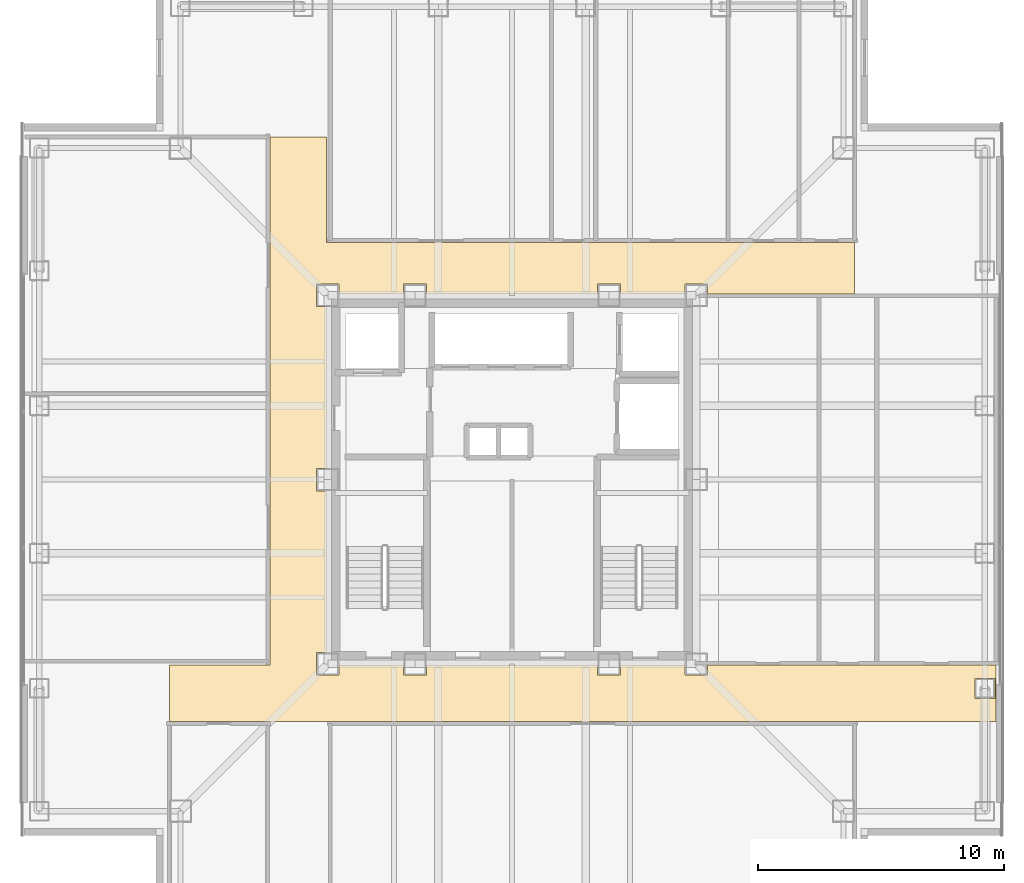
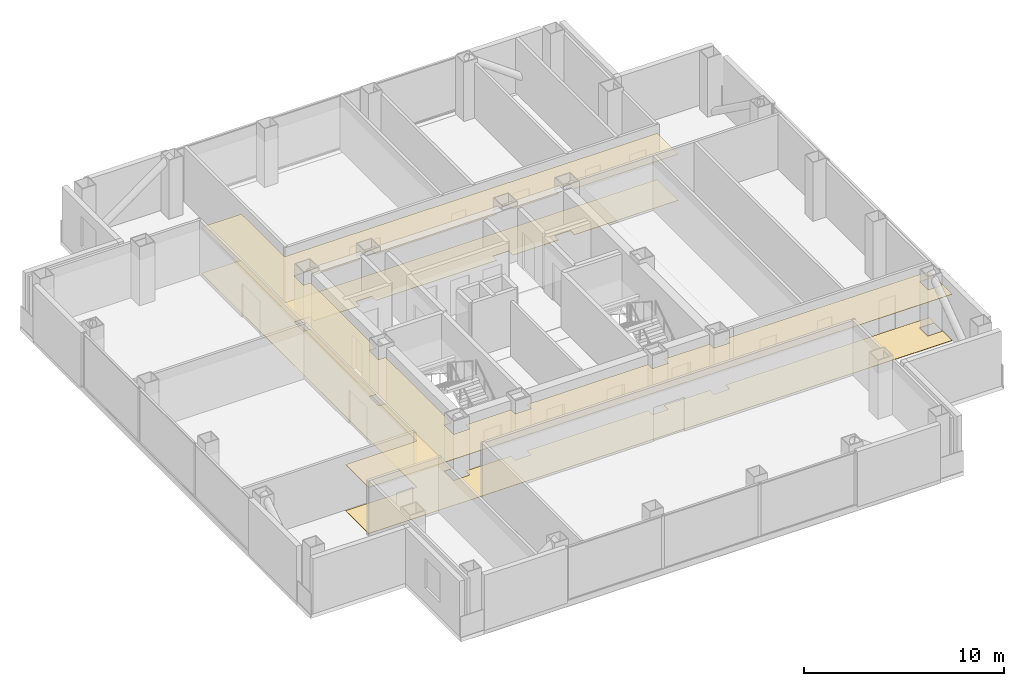
# One storey, part 14 of 16: 2 coverings.
"""IFC4 building model written with IfcOpenShell, lengths in metres."""

from ifc_helpers import new_model, si_unit, direction, frame, origin, place, context, subcontext, project, spatial, polyline, outline, extrude, material, layer, layer_set, type_object, element, save


model = new_model("IFC4")

# Units and contexts
model_context = context("Model", 3, precision=1e-05, world=origin(), true_north=direction((0.0, 1.0)))
body_context = subcontext(model_context, "Body", "Model", "MODEL_VIEW")
ifc_project = project(units=[si_unit("LENGTHUNIT", "METRE"), si_unit("AREAUNIT", "SQUARE_METRE"), si_unit("VOLUMEUNIT", "CUBIC_METRE"), si_unit("PLANEANGLEUNIT", "RADIAN"), si_unit("MASSUNIT", "GRAM", prefix="KILO")], contexts=[model_context])

# Site, building, storey
site_placement = place(None, origin())
site = spatial("IfcSite", under=ifc_project, at=site_placement, CompositionType="ELEMENT")
building_placement = place(site_placement, origin())
building = spatial("IfcBuilding", under=site, at=building_placement, Name="Trevonay Congress Spire", CompositionType="ELEMENT")
storey_placement = place(building_placement, frame((0.0, 0.0, 180.60009765625)))
storey = spatial("IfcBuildingStorey", under=building, at=storey_placement, Name="L46", CompositionType="ELEMENT", Elevation=180.60009765625)

# Coverings
ifc_material_1 = material(Name="Acoustic Mineral Fibre Board", Category="gypsum")
ifc_layer_1 = layer(ifc_material_1, 0.02490234375, Name="Acoustic Mineral Fibre Board")
ifc_layer_set_1 = layer_set([ifc_layer_1], Name="Acoustic Mineral Fibre Board")
covering_type_1 = type_object("IfcCoveringType", Name="COV-CEIL-ACOUSTIC", PredefinedType="CEILING", material=ifc_layer_set_1)
covering_1_placement = place(storey_placement, frame((0.0, 0.0, 2.809814453125)))
element("IfcCovering", 1, at=covering_1_placement, inside=storey, type_object=covering_type_1, Name="L46 Cruciform Boulevard Corridor acoustic suspended ceiling", PredefinedType="CEILING", context=body_context, shape_type="SweptSolid", body=[
    extrude(outline(polyline([(19.699951171875, -7.550048828125), (19.699951171875, -9.85009765625), (-13.949951171875, -9.85009765625), (-13.949951171875, -7.550048828125), (-9.85009765625, -7.550048828125), (-9.85009765625, 13.949951171875), (-7.550048828125, 13.949951171875), (-7.550048828125, 9.64990234375), (13.949951171875, 9.64990234375), (13.949951171875, 7.550048828125), (7.9599609375, 7.550048828125), (7.9599609375, 7.9599609375), (7.0400390625, 7.9599609375), (7.0400390625, 7.550048828125), (4.409912109375, 7.550048828125), (4.409912109375, 7.9599609375), (3.489990234375, 7.9599609375), (3.489990234375, 7.550048828125), (-3.489990234375, 7.550048828125), (-3.489990234375, 7.9599609375), (-4.409912109375, 7.9599609375), (-4.409912109375, 7.550048828125), (-7.0400390625, 7.550048828125), (-7.0400390625, 7.9599609375), (-7.9599609375, 7.9599609375), (-7.9599609375, 7.0400390625), (-7.550048828125, 7.0400390625), (-7.550048828125, 0.4599609375), (-7.9599609375, 0.4599609375), (-7.9599609375, -0.4599609375), (-7.550048828125, -0.4599609375), (-7.550048828125, -7.0400390625), (-7.9599609375, -7.0400390625), (-7.9599609375, -7.9599609375), (-7.0400390625, -7.9599609375), (-7.0400390625, -7.550048828125), (-4.409912109375, -7.550048828125), (-4.409912109375, -7.9599609375), (-3.489990234375, -7.9599609375), (-3.489990234375, -7.550048828125), (3.489990234375, -7.550048828125), (3.489990234375, -7.9599609375), (4.409912109375, -7.9599609375), (4.409912109375, -7.550048828125), (7.0400390625, -7.550048828125), (7.0400390625, -7.9599609375), (7.9599609375, -7.9599609375), (7.9599609375, -7.550048828125), (19.699951171875, -7.550048828125)]), holes=[polyline([(19.659912109375, -8.090087890625), (18.840087890625, -8.090087890625), (18.840087890625, -8.909912109375), (19.659912109375, -8.909912109375), (19.659912109375, -8.090087890625)])]), origin(), (0.0, 0.0, 1.0), 0.025146484375),
])
ifc_material_2 = material(Name="Polished Granite Floor Tile", Category="masonry")
ifc_layer_2 = layer(ifc_material_2, 0.02001953125, Name="Polished Granite Floor Tile")
ifc_layer_set_2 = layer_set([ifc_layer_2], Name="Polished Granite Floor Tile")
covering_type_2 = type_object("IfcCoveringType", Name="COV-FLOOR-STONE", PredefinedType="FLOORING", material=ifc_layer_set_2)
covering_2_placement = place(storey_placement, origin())
element("IfcCovering", 2, at=covering_2_placement, inside=storey, type_object=covering_type_2, Name="L46 Cruciform Boulevard Corridor floor finish", PredefinedType="FLOORING", context=body_context, shape_type="SweptSolid", body=[
    extrude(outline(polyline([(19.699951171875, -7.550048828125), (19.699951171875, -9.85009765625), (-13.949951171875, -9.85009765625), (-13.949951171875, -7.550048828125), (-9.85009765625, -7.550048828125), (-9.85009765625, 13.949951171875), (-7.550048828125, 13.949951171875), (-7.550048828125, 9.64990234375), (13.949951171875, 9.64990234375), (13.949951171875, 7.550048828125), (7.9599609375, 7.550048828125), (7.9599609375, 7.9599609375), (7.0400390625, 7.9599609375), (7.0400390625, 7.550048828125), (4.409912109375, 7.550048828125), (4.409912109375, 7.9599609375), (3.489990234375, 7.9599609375), (3.489990234375, 7.550048828125), (-3.489990234375, 7.550048828125), (-3.489990234375, 7.9599609375), (-4.409912109375, 7.9599609375), (-4.409912109375, 7.550048828125), (-7.0400390625, 7.550048828125), (-7.0400390625, 7.9599609375), (-7.9599609375, 7.9599609375), (-7.9599609375, 7.0400390625), (-7.550048828125, 7.0400390625), (-7.550048828125, 0.4599609375), (-7.9599609375, 0.4599609375), (-7.9599609375, -0.4599609375), (-7.550048828125, -0.4599609375), (-7.550048828125, -7.0400390625), (-7.9599609375, -7.0400390625), (-7.9599609375, -7.9599609375), (-7.0400390625, -7.9599609375), (-7.0400390625, -7.550048828125), (-4.409912109375, -7.550048828125), (-4.409912109375, -7.9599609375), (-3.489990234375, -7.9599609375), (-3.489990234375, -7.550048828125), (3.489990234375, -7.550048828125), (3.489990234375, -7.9599609375), (4.409912109375, -7.9599609375), (4.409912109375, -7.550048828125), (7.0400390625, -7.550048828125), (7.0400390625, -7.9599609375), (7.9599609375, -7.9599609375), (7.9599609375, -7.550048828125), (19.699951171875, -7.550048828125)]), holes=[polyline([(19.659912109375, -8.090087890625), (18.840087890625, -8.090087890625), (18.840087890625, -8.909912109375), (19.659912109375, -8.909912109375), (19.659912109375, -8.090087890625)])]), origin(), (0.0, 0.0, 1.0), 0.02001953125),
])

save(model, "model.ifc")
